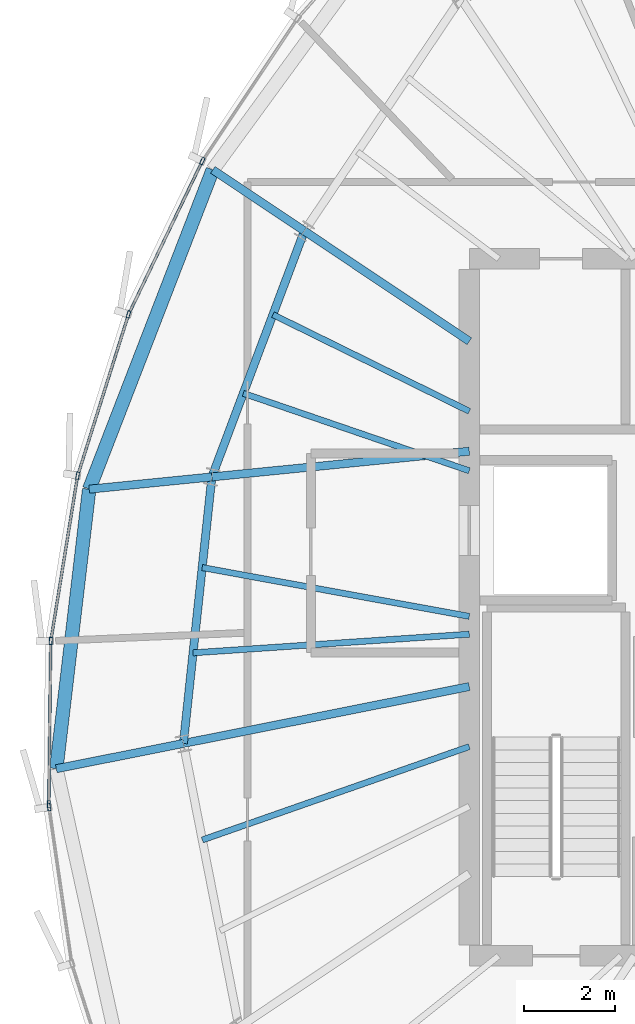
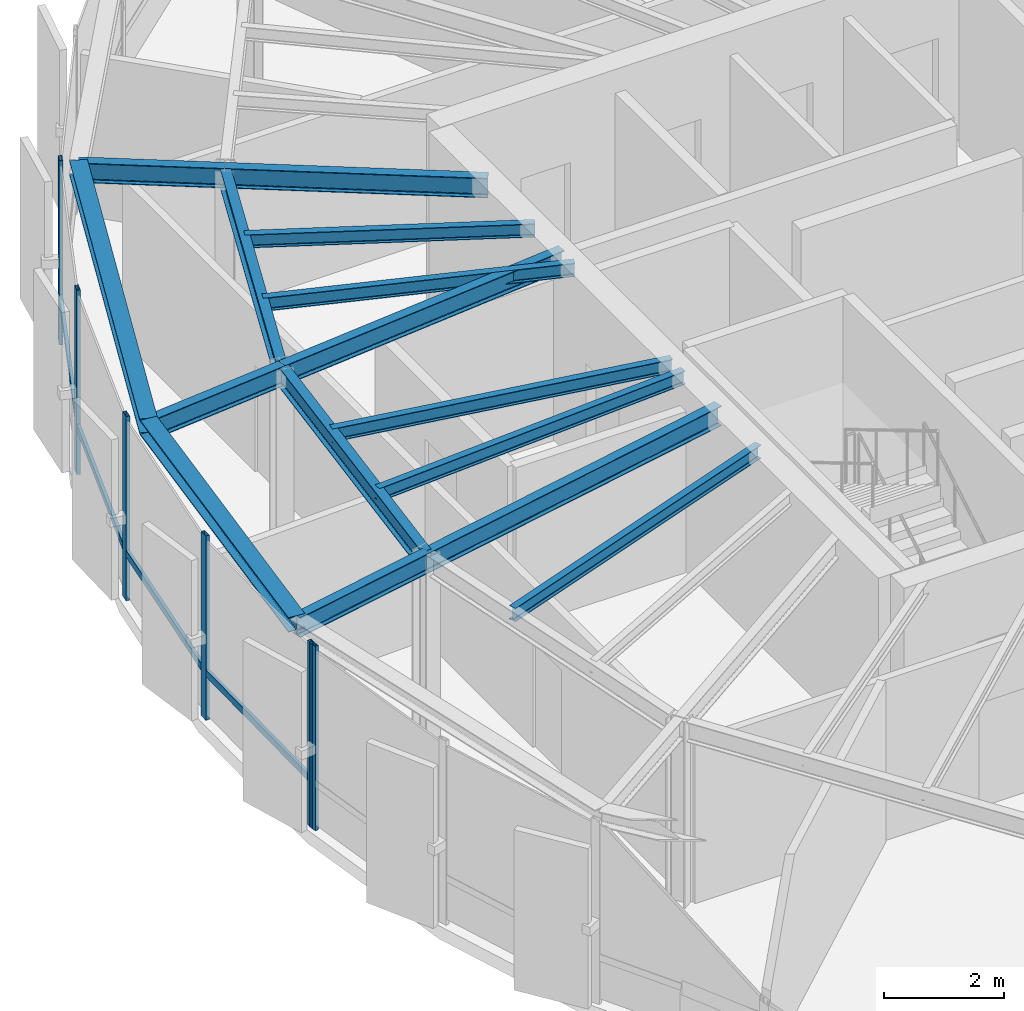
# One storey, part 10 of 27: 15 beams, 10 members, 2 elements without a shape of their own.
"""IFC4 building model written with IfcOpenShell, lengths in metres."""

from ifc_helpers import new_model, si_unit, direction, frame, origin, origin_2d, place, context, subcontext, project, spatial, hollow_rectangle, i_section, extrude, source, transform, mapped, material, layer, layer_set, material_profile, profile_set, type_object, element, aggregate, save


model = new_model("IFC4")

# Units and contexts
model_context = context("Model", 3, precision=1e-05, world=origin(), true_north=direction((0.0, 1.0)))
body_context = subcontext(model_context, "Body", "Model", "MODEL_VIEW")
ifc_project = project(units=[si_unit("LENGTHUNIT", "METRE"), si_unit("AREAUNIT", "SQUARE_METRE"), si_unit("VOLUMEUNIT", "CUBIC_METRE"), si_unit("PLANEANGLEUNIT", "RADIAN"), si_unit("MASSUNIT", "GRAM", prefix="KILO"), si_unit("THERMODYNAMICTEMPERATUREUNIT", "KELVIN")], contexts=[model_context])

# Site, building, storey
site_placement = place(None, origin())
site = spatial("IfcSite", under=ifc_project, at=site_placement, CompositionType="ELEMENT")
building_placement = place(site_placement, origin())
building = spatial("IfcBuilding", under=site, at=building_placement, Name="Kethvar Cultural Tower", CompositionType="ELEMENT")
storey_placement = place(building_placement, frame((0.0, 0.0, 308.300048828125)))
storey = spatial("IfcBuildingStorey", under=building, at=storey_placement, Name="L82", CompositionType="ELEMENT", Elevation=308.300048828125)

# Beams
ifc_material_1 = material(Name="Steel S355J2", Category="steel")
ifc_material_profile_1 = material_profile(ifc_material_1, i_section(OverallWidth=0.135009765625, OverallDepth=0.27001953125, WebThickness=0.006591796875, FlangeThickness=0.01025390625, FilletRadius=0.014892578125, at=origin_2d()), Name="Steel S355J2 — IPE270")
ifc_profile_set_1 = profile_set([ifc_material_profile_1], Name="Steel S355J2 — IPE270")
beam_type_1 = type_object("IfcBeamType", Name="BM-J270", PredefinedType="JOIST", material=ifc_profile_set_1)
shared_shape_1 = source(origin(), body_context, "Body", "SweptSolid", [
    extrude(i_section(OverallWidth=0.135009765625, OverallDepth=0.27001953125, WebThickness=0.006591796875, FlangeThickness=0.01025390625, FilletRadius=0.014892578125, at=origin_2d()), origin(), (0.0, 0.0, 1.0), 4.8359375),
])
beam_1_placement = place(storey_placement, frame((38.0, 32.1318359375, 3.597900390625), z_axis=(-0.897196527088, 0.441631511308, 0.0), x_axis=(-0.441631511308, -0.897196527088, 0.0)))
element("IfcBeam", 1, at=beam_1_placement, inside=storey, type_object=beam_type_1, Name="L82 Composite Floor Joist J-07A", PredefinedType="JOIST", context=body_context, shape_type="MappedRepresentation", body=[
    mapped(shared_shape_1, transform((0.0, 0.0, 0.0), scale=1.0)),
])
shared_shape_2 = source(origin(), body_context, "Body", "SweptSolid", [
    extrude(i_section(OverallWidth=0.135009765625, OverallDepth=0.27001953125, WebThickness=0.006591796875, FlangeThickness=0.01025390625, FilletRadius=0.014892578125, at=origin_2d()), origin(), (0.0, 0.0, 1.0), 5.2783203125),
])
beam_2_placement = place(storey_placement, frame((38.0, 30.817138671875, 3.597900390625), z_axis=(-0.945942702368, 0.324333784607, 0.0), x_axis=(-0.324333784607, -0.945942702368, 0.0)))
element("IfcBeam", 2, at=beam_2_placement, inside=storey, type_object=beam_type_1, Name="L82 Composite Floor Joist J-07B", PredefinedType="JOIST", context=body_context, shape_type="MappedRepresentation", body=[
    mapped(shared_shape_2, transform((0.0, 0.0, 0.0), scale=1.0)),
])
shared_shape_3 = source(origin(), body_context, "Body", "SweptSolid", [
    extrude(i_section(OverallWidth=0.135009765625, OverallDepth=0.27001953125, WebThickness=0.006591796875, FlangeThickness=0.01025390625, FilletRadius=0.014892578125, at=origin_2d()), origin(), (0.0, 0.0, 1.0), 5.99951171875),
])
beam_3_placement = place(storey_placement, frame((38.0, 27.60009765625, 3.597900390625), z_axis=(-0.983676616141, 0.179945310742, 0.0), x_axis=(-0.179945310742, -0.983676616141, 0.0)))
element("IfcBeam", 3, at=beam_3_placement, inside=storey, type_object=beam_type_1, Name="L82 Composite Floor Joist J-08A", PredefinedType="JOIST", context=body_context, shape_type="MappedRepresentation", body=[
    mapped(shared_shape_3, transform((0.0, 0.0, 0.0), scale=1.0)),
])
shared_shape_4 = source(origin(), body_context, "Body", "SweptSolid", [
    extrude(i_section(OverallWidth=0.135009765625, OverallDepth=0.27001953125, WebThickness=0.006591796875, FlangeThickness=0.01025390625, FilletRadius=0.014892578125, at=origin_2d()), origin(), (0.0, 0.0, 1.0), 6.116943359375),
])
beam_4_placement = place(storey_placement, frame((38.0, 27.206787109375, 3.597900390625), z_axis=(-0.997733289627, -0.067292516454, 0.0), x_axis=(0.067292516454, -0.997733289627, 0.0)))
element("IfcBeam", 4, at=beam_4_placement, inside=storey, type_object=beam_type_1, Name="L82 Composite Floor Joist J-08B", PredefinedType="JOIST", context=body_context, shape_type="MappedRepresentation", body=[
    mapped(shared_shape_4, transform((0.0, 0.0, 0.0), scale=1.0)),
])
shared_shape_5 = source(origin(), body_context, "Body", "SweptSolid", [
    extrude(i_section(OverallWidth=0.135009765625, OverallDepth=0.27001953125, WebThickness=0.006591796875, FlangeThickness=0.01025390625, FilletRadius=0.014892578125, at=origin_2d()), origin(), (0.0, 0.0, 1.0), 6.248779296875),
])
beam_5_placement = place(storey_placement, frame((38.0, 24.722900390625, 3.597900390625), z_axis=(-0.943960031743, -0.330059780148, 0.0), x_axis=(0.330059780148, -0.943960031743, 0.0)))
element("IfcBeam", 5, at=beam_5_placement, inside=storey, type_object=beam_type_1, Name="L82 Composite Floor Joist J-09A", PredefinedType="JOIST", context=body_context, shape_type="MappedRepresentation", body=[
    mapped(shared_shape_5, transform((0.0, 0.0, 0.0), scale=1.0)),
])
ifc_material_profile_2 = material_profile(ifc_material_1, i_section(OverallWidth=0.179931640625, OverallDepth=0.39990234375, WebThickness=0.008544921875, FlangeThickness=0.013427734375, FilletRadius=0.02099609375, at=origin_2d()), Name="Steel S355J2 — IPE400")
ifc_profile_set_2 = profile_set([ifc_material_profile_2], Name="Steel S355J2 — IPE400")
beam_type_2 = type_object("IfcBeamType", Name="BM-IPE400", PredefinedType="BEAM", material=ifc_profile_set_2)
shared_shape_6 = source(origin(), body_context, "Body", "SweptSolid", [
    extrude(i_section(OverallWidth=0.179931640625, OverallDepth=0.39990234375, WebThickness=0.008544921875, FlangeThickness=0.013427734375, FilletRadius=0.02099609375, at=origin_2d()), origin(), (0.0, 0.0, 1.0), 4.3828125),
])
beam_6_placement = place(storey_placement, frame((38.0, 33.679931640625, 3.532958984375), z_axis=(-0.831449909861, 0.555599718676, 0.0), x_axis=(-0.555599718676, -0.831449909861, 0.0)))
element("IfcBeam", 6, at=beam_6_placement, inside=storey, type_object=beam_type_2, Name="L82 Primary Radial Beam RB-07", PredefinedType="BEAM", context=body_context, shape_type="MappedRepresentation", body=[
    mapped(shared_shape_6, transform((0.0, 0.0, 0.0), scale=1.0)),
])
shared_shape_7 = source(origin(), body_context, "Body", "SweptSolid", [
    extrude(i_section(OverallWidth=0.179931640625, OverallDepth=0.39990234375, WebThickness=0.008544921875, FlangeThickness=0.013427734375, FilletRadius=0.02099609375, at=origin_2d()), origin(), (0.0, 0.0, 1.0), 5.7158203125),
])
beam_7_placement = place(storey_placement, frame((38.0, 31.25, 3.532958984375), z_axis=(-0.995048179628, -0.099393763478, 0.0), x_axis=(0.099393763478, -0.995048179628, 0.0)))
element("IfcBeam", 7, at=beam_7_placement, inside=storey, type_object=beam_type_2, Name="L82 Primary Radial Beam RB-08", PredefinedType="BEAM", context=body_context, shape_type="MappedRepresentation", body=[
    mapped(shared_shape_7, transform((0.0, 0.0, 0.0), scale=1.0)),
])
shared_shape_8 = source(origin(), body_context, "Body", "SweptSolid", [
    extrude(i_section(OverallWidth=0.179931640625, OverallDepth=0.39990234375, WebThickness=0.008544921875, FlangeThickness=0.013427734375, FilletRadius=0.02099609375, at=origin_2d()), origin(), (0.0, 0.0, 1.0), 6.440673828125),
])
beam_8_placement = place(storey_placement, frame((38.0, 26.049560546875, 3.532958984375), z_axis=(-0.980782804096, -0.195102770839, 0.0), x_axis=(0.195102770839, -0.980782804096, 0.0)))
element("IfcBeam", 8, at=beam_8_placement, inside=storey, type_object=beam_type_2, Name="L82 Primary Radial Beam RB-09", PredefinedType="BEAM", context=body_context, shape_type="MappedRepresentation", body=[
    mapped(shared_shape_8, transform((0.0, 0.0, 0.0), scale=1.0)),
])
shared_shape_9 = source(origin(), body_context, "Body", "SweptSolid", [
    extrude(i_section(OverallWidth=0.179931640625, OverallDepth=0.39990234375, WebThickness=0.008544921875, FlangeThickness=0.013427734375, FilletRadius=0.02099609375, at=origin_2d()), origin(), (0.0, 0.0, 1.0), 5.8046875),
])
beam_9_placement = place(storey_placement, frame((34.35595703125, 36.114990234375, 3.532958984375), z_axis=(-0.352035902861, -0.935986497283, 0.0), x_axis=(0.935986497283, -0.352035902861, 0.0)))
element("IfcBeam", 9, at=beam_9_placement, inside=storey, type_object=beam_type_2, Name="L82 Column Ring Tie Beam CR-07", PredefinedType="BEAM", context=body_context, shape_type="MappedRepresentation", body=[
    mapped(shared_shape_9, transform((0.0, 0.0, 0.0), scale=1.0)),
])
shared_shape_10 = source(origin(), body_context, "Body", "SweptSolid", [
    extrude(i_section(OverallWidth=0.179931640625, OverallDepth=0.39990234375, WebThickness=0.008544921875, FlangeThickness=0.013427734375, FilletRadius=0.02099609375, at=origin_2d()), origin(), (0.0, 0.0, 1.0), 5.92236328125),
])
beam_10_placement = place(storey_placement, frame((32.3125, 30.681884765625, 3.532958984375), z_axis=(-0.106272578913, -0.994337034899, 0.0), x_axis=(0.994337034899, -0.106272578913, 0.0)))
element("IfcBeam", 10, at=beam_10_placement, inside=storey, type_object=beam_type_2, Name="L82 Column Ring Tie Beam CR-08", PredefinedType="BEAM", context=body_context, shape_type="MappedRepresentation", body=[
    mapped(shared_shape_10, transform((0.0, 0.0, 0.0), scale=1.0)),
])
shared_shape_11 = source(origin(), body_context, "Body", "SweptSolid", [
    extrude(i_section(OverallWidth=0.179931640625, OverallDepth=0.39990234375, WebThickness=0.008544921875, FlangeThickness=0.013427734375, FilletRadius=0.02099609375, at=origin_2d()), origin(), (0.0, 0.0, 1.0), 2.433837890625),
])
beam_11_placement = place(storey_placement, frame((34.35595703125, 36.114990234375, 3.532958984375), z_axis=(-0.831494297407, 0.555533287373, 0.0), x_axis=(-0.555533287373, -0.831494297407, 0.0)))
element("IfcBeam", 11, at=beam_11_placement, inside=storey, type_object=beam_type_2, Name="L82 Perimeter Cantilever Beam RC-07", PredefinedType="BEAM", context=body_context, shape_type="MappedRepresentation", body=[
    mapped(shared_shape_11, transform((0.0, 0.0, 0.0), scale=1.0)),
])
shared_shape_12 = source(origin(), body_context, "Body", "SweptSolid", [
    extrude(i_section(OverallWidth=0.179931640625, OverallDepth=0.39990234375, WebThickness=0.008544921875, FlangeThickness=0.013427734375, FilletRadius=0.02099609375, at=origin_2d()), origin(), (0.0, 0.0, 1.0), 2.72412109375),
])
beam_12_placement = place(storey_placement, frame((32.3125, 30.681884765625, 3.532958984375), z_axis=(-0.995039851805, -0.099477099478, 0.0), x_axis=(0.099477099478, -0.995039851805, 0.0)))
element("IfcBeam", 12, at=beam_12_placement, inside=storey, type_object=beam_type_2, Name="L82 Perimeter Cantilever Beam RC-08", PredefinedType="BEAM", context=body_context, shape_type="MappedRepresentation", body=[
    mapped(shared_shape_12, transform((0.0, 0.0, 0.0), scale=1.0)),
])
shared_shape_13 = source(origin(), body_context, "Body", "SweptSolid", [
    extrude(i_section(OverallWidth=0.179931640625, OverallDepth=0.39990234375, WebThickness=0.008544921875, FlangeThickness=0.013427734375, FilletRadius=0.02099609375, at=origin_2d()), origin(), (0.0, 0.0, 1.0), 2.862548828125),
])
beam_13_placement = place(storey_placement, frame((31.68310546875, 24.79296875, 3.532958984375), z_axis=(-0.980793312111, -0.195049939548, 0.0), x_axis=(0.195049939548, -0.980793312111, 0.0)))
element("IfcBeam", 13, at=beam_13_placement, inside=storey, type_object=beam_type_2, Name="L82 Perimeter Cantilever Beam RC-09", PredefinedType="BEAM", context=body_context, shape_type="MappedRepresentation", body=[
    mapped(shared_shape_13, transform((0.0, 0.0, 0.0), scale=1.0)),
])
ifc_material_profile_3 = material_profile(ifc_material_1, i_section(OverallWidth=0.300048828125, OverallDepth=0.300048828125, WebThickness=0.010986328125, FlangeThickness=0.01904296875, FilletRadius=0.027099609375, at=origin_2d()), Name="Steel S355J2 — HEB300")
ifc_profile_set_3 = profile_set([ifc_material_profile_3], Name="Steel S355J2 — HEB300")
beam_type_3 = type_object("IfcBeamType", Name="BM-SP300", PredefinedType="SPANDREL", material=ifc_profile_set_3)
shared_shape_14 = source(origin(), body_context, "Body", "SweptSolid", [
    extrude(i_section(OverallWidth=0.300048828125, OverallDepth=0.300048828125, WebThickness=0.010986328125, FlangeThickness=0.01904296875, FilletRadius=0.027099609375, at=origin_2d()), origin(), (0.0, 0.0, 1.0), 7.56591796875),
])
beam_14_placement = place(storey_placement, frame((32.332275390625, 37.467041015625, 3.5830078125), z_axis=(-0.360885469328, -0.932610142572, 0.0), x_axis=(0.932610142572, -0.360885469328, 0.0)))
element("IfcBeam", 14, at=beam_14_placement, inside=storey, type_object=beam_type_3, Name="L82 Perimeter Spandrel Beam SP-07", PredefinedType="SPANDREL", context=body_context, shape_type="MappedRepresentation", body=[
    mapped(shared_shape_14, transform((0.0, 0.0, 0.0), scale=1.0)),
])
shared_shape_15 = source(origin(), body_context, "Body", "SweptSolid", [
    extrude(i_section(OverallWidth=0.300048828125, OverallDepth=0.300048828125, WebThickness=0.010986328125, FlangeThickness=0.01904296875, FilletRadius=0.027099609375, at=origin_2d()), origin(), (0.0, 0.0, 1.0), 6.21875),
])
beam_15_placement = place(storey_placement, frame((29.601806640625, 30.410888671875, 3.5830078125), z_axis=(-0.116793413952, -0.993156230639, 0.0), x_axis=(0.993156230639, -0.116793413952, 0.0)))
element("IfcBeam", 15, at=beam_15_placement, inside=storey, type_object=beam_type_3, Name="L82 Perimeter Spandrel Beam SP-08", PredefinedType="SPANDREL", context=body_context, shape_type="MappedRepresentation", body=[
    mapped(shared_shape_15, transform((0.0, 0.0, 0.0), scale=1.0)),
])

# Curtain wall, members
ifc_material_2 = material(Name="Aluminium 6063-T6", Category="aluminium")
ifc_layer = layer(ifc_material_2, 0.179931640625, Name="Aluminium 6063-T6", Category="aluminium")
ifc_layer_set = layer_set([ifc_layer], Name="Aluminium 6063-T6 (180 mm)")
curtain_wall_type = type_object("IfcCurtainWallType", Name="CW-SYS-06-CROWN", PredefinedType="NOTDEFINED", material=ifc_layer_set)
curtain_wall_1_placement = place(storey_placement, origin())
curtain_wall_1 = element("IfcCurtainWall", 16, at=curtain_wall_1_placement, inside=storey, type_object=curtain_wall_type, Name="L82 Curtain Wall Run 02", PredefinedType="NOTDEFINED")
ifc_material_profile_4 = material_profile(ifc_material_2, hollow_rectangle(XDim=0.06494140625, YDim=0.159912109375, WallThickness=0.0048828125, at=origin_2d()), Name="Aluminium 6063-T6 — RHS160x65x5")
ifc_profile_set_4 = profile_set([ifc_material_profile_4], Name="Aluminium 6063-T6 — RHS160x65x5")
member_type_1 = type_object("IfcMemberType", Name="CW-SYS-06-CROWN-MUL", PredefinedType="MULLION", material=ifc_profile_set_4)
shared_shape_16 = source(origin(), body_context, "Body", "SweptSolid", [
    extrude(hollow_rectangle(XDim=0.06494140625, YDim=0.159912109375, WallThickness=0.0048828125, at=origin_2d()), origin(), (0.0, 0.0, 1.0), 3.73486328125),
])
member_1_placement = place(storey_placement, frame((32.101318359375, 37.6611328125, 0.0), z_axis=(0.0, 0.0, 1.0), x_axis=(0.901228341999, -0.433344522957, 0.0)))
member_1 = element("IfcMember", 17, at=member_1_placement, type_object=member_type_1, Name="CW-L82-R02 Mullion 3", PredefinedType="MULLION", context=body_context, shape_type="MappedRepresentation", body=[
    mapped(shared_shape_16, transform((0.0, 0.0, 0.0), scale=1.0)),
])
member_2_placement = place(storey_placement, frame((30.47119140625, 34.274169921875, 0.0), z_axis=(0.0, 0.0, 1.0), x_axis=(0.95373269436, -0.300655862589, 0.0)))
member_2 = element("IfcMember", 18, at=member_2_placement, type_object=member_type_1, Name="CW-L82-R02 Mullion 4", PredefinedType="MULLION", context=body_context, shape_type="MappedRepresentation", body=[
    mapped(shared_shape_16, transform((0.0, 0.0, 0.0), scale=1.0)),
])
member_3_placement = place(storey_placement, frame((29.34619140625, 30.708984375, 0.0), z_axis=(0.0, 0.0, 1.0), x_axis=(0.987105551896, -0.160070701302, 0.0)))
member_3 = element("IfcMember", 19, at=member_3_placement, type_object=member_type_1, Name="CW-L82-R02 Mullion 5", PredefinedType="MULLION", context=body_context, shape_type="MappedRepresentation", body=[
    mapped(shared_shape_16, transform((0.0, 0.0, 0.0), scale=1.0)),
])
member_4_placement = place(storey_placement, frame((28.75244140625, 27.055908203125, 0.0), z_axis=(0.0, 0.0, 1.0), x_axis=(0.999929573279, -0.011867960299, 0.0)))
member_4 = element("IfcMember", 20, at=member_4_placement, type_object=member_type_1, Name="CW-L82-R02 Mullion 6", PredefinedType="MULLION", context=body_context, shape_type="MappedRepresentation", body=[
    mapped(shared_shape_16, transform((0.0, 0.0, 0.0), scale=1.0)),
])
member_5_placement = place(storey_placement, frame((28.709716796875, 23.44970703125, 0.0), z_axis=(0.0, 0.0, 1.0), x_axis=(0.999929573279, -0.011867960299, 0.0)))
member_5 = element("IfcMember", 21, at=member_5_placement, type_object=member_type_1, Name="CW-L82-R02 Mullion 7", PredefinedType="MULLION", context=body_context, shape_type="MappedRepresentation", body=[
    mapped(shared_shape_16, transform((0.0, 0.0, 0.0), scale=1.0)),
])

# Curtain wall, member
curtain_wall_2_placement = place(storey_placement, origin())
curtain_wall_2 = element("IfcCurtainWall", 22, at=curtain_wall_2_placement, inside=storey, type_object=curtain_wall_type, Name="L82 Curtain Wall Run 03", PredefinedType="NOTDEFINED")
member_6_placement = place(storey_placement, frame((28.7138671875, 23.384521484375, 0.0), z_axis=(0.0, 0.0, 1.0), x_axis=(0.989636354881, 0.143596257255, 0.0)))
member_6 = element("IfcMember", 23, at=member_6_placement, type_object=member_type_1, Name="CW-L82-R03 Mullion 1", PredefinedType="MULLION", context=body_context, shape_type="MappedRepresentation", body=[
    mapped(shared_shape_16, transform((0.0, 0.0, 0.0), scale=1.0)),
])
aggregate(curtain_wall_2, [member_6])

# Member
ifc_material_profile_5 = material_profile(ifc_material_2, hollow_rectangle(XDim=0.06005859375, YDim=0.139892578125, WallThickness=0.0048828125, at=origin_2d()), Name="Aluminium 6063-T6 — RHS140x60x5")
ifc_profile_set_5 = profile_set([ifc_material_profile_5], Name="Aluminium 6063-T6 — RHS140x60x5")
member_type_2 = type_object("IfcMemberType", Name="CW-SYS-06-CROWN-TRN", PredefinedType="USERDEFINED", material=ifc_profile_set_5)
shared_shape_17 = source(origin(), body_context, "Body", "SweptSolid", [
    extrude(hollow_rectangle(XDim=0.06005859375, YDim=0.139892578125, WallThickness=0.0048828125, at=origin_2d()), origin(), (0.0, 0.0, 1.0), 3.68212890625),
])
member_7_placement = place(storey_placement, frame((32.0810546875, 37.618896484375, 0.949951171875), z_axis=(-0.433369004021, -0.901216570173, 0.0), x_axis=(0.901216570173, -0.433369004021, 0.0)))
member_7 = element("IfcMember", 24, at=member_7_placement, type_object=member_type_2, Name="CW-L82-R02 Transom 3", ObjectType="TRANSOM", PredefinedType="USERDEFINED", context=body_context, shape_type="MappedRepresentation", body=[
    mapped(shared_shape_17, transform((0.0, 0.0, 0.0), scale=1.0)),
])

shared_shape_18 = source(origin(), body_context, "Body", "SweptSolid", [
    extrude(hollow_rectangle(XDim=0.06005859375, YDim=0.139892578125, WallThickness=0.0048828125, at=origin_2d()), origin(), (0.0, 0.0, 1.0), 3.662109375),
])
member_8_placement = place(storey_placement, frame((30.457275390625, 34.2294921875, 0.949951171875), z_axis=(-0.300665506768, -0.953729654063, 0.0), x_axis=(0.953729654063, -0.300665506768, 0.0)))
member_8 = element("IfcMember", 25, at=member_8_placement, type_object=member_type_2, Name="CW-L82-R02 Transom 4", ObjectType="TRANSOM", PredefinedType="USERDEFINED", context=body_context, shape_type="MappedRepresentation", body=[
    mapped(shared_shape_18, transform((0.0, 0.0, 0.0), scale=1.0)),
])

shared_shape_19 = source(origin(), body_context, "Body", "SweptSolid", [
    extrude(hollow_rectangle(XDim=0.06005859375, YDim=0.139892578125, WallThickness=0.0048828125, at=origin_2d()), origin(), (0.0, 0.0, 1.0), 3.625),
])
member_9_placement = place(storey_placement, frame((29.338623046875, 30.662841796875, 0.949951171875), z_axis=(-0.160083573378, -0.987103464453, 0.0), x_axis=(0.987103464453, -0.160083573378, 0.0)))
member_9 = element("IfcMember", 26, at=member_9_placement, type_object=member_type_2, Name="CW-L82-R02 Transom 5", ObjectType="TRANSOM", PredefinedType="USERDEFINED", context=body_context, shape_type="MappedRepresentation", body=[
    mapped(shared_shape_19, transform((0.0, 0.0, 0.0), scale=1.0)),
])

shared_shape_20 = source(origin(), body_context, "Body", "SweptSolid", [
    extrude(hollow_rectangle(XDim=0.06005859375, YDim=0.139892578125, WallThickness=0.0048828125, at=origin_2d()), origin(), (0.0, 0.0, 1.0), 3.55517578125),
])
member_10_placement = place(storey_placement, frame((28.751708984375, 27.00927734375, 0.949951171875), z_axis=(-0.011811551506, -0.999930241192, 0.0), x_axis=(0.999930241192, -0.011811551506, 0.0)))
member_10 = element("IfcMember", 27, at=member_10_placement, type_object=member_type_2, Name="CW-L82-R02 Transom 6", ObjectType="TRANSOM", PredefinedType="USERDEFINED", context=body_context, shape_type="MappedRepresentation", body=[
    mapped(shared_shape_20, transform((0.0, 0.0, 0.0), scale=1.0)),
])

aggregate(curtain_wall_1, [member_1, member_2, member_3, member_4, member_5, member_7, member_8, member_9, member_10])

save(model, "model.ifc")
